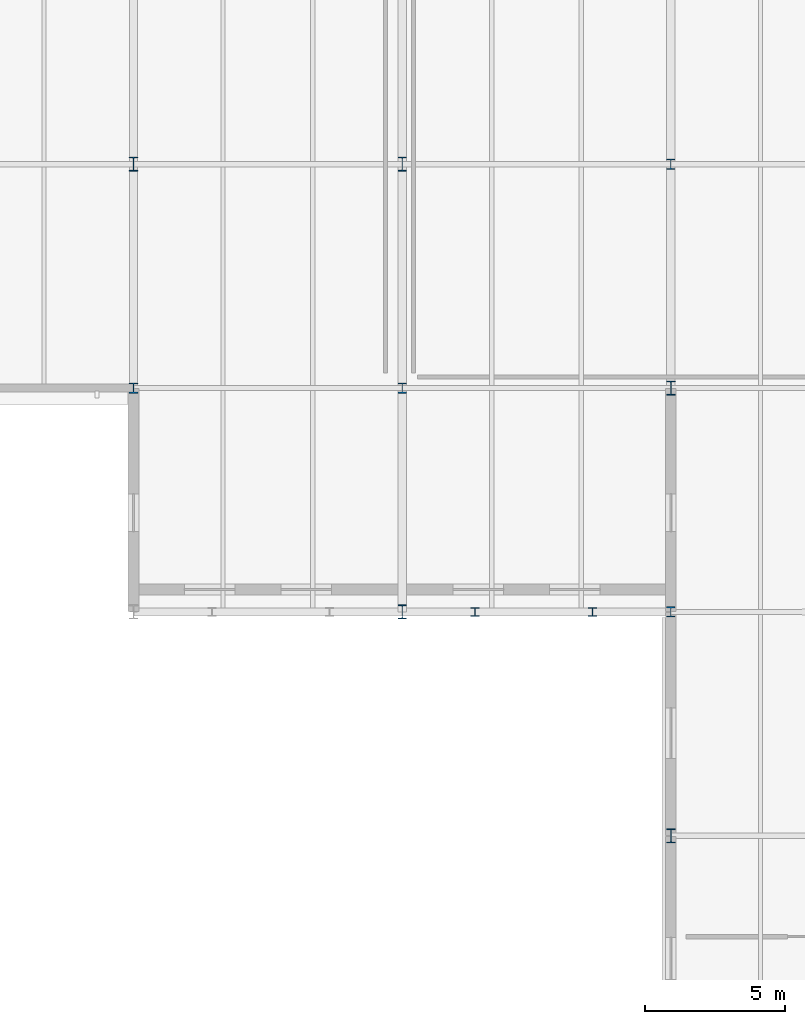
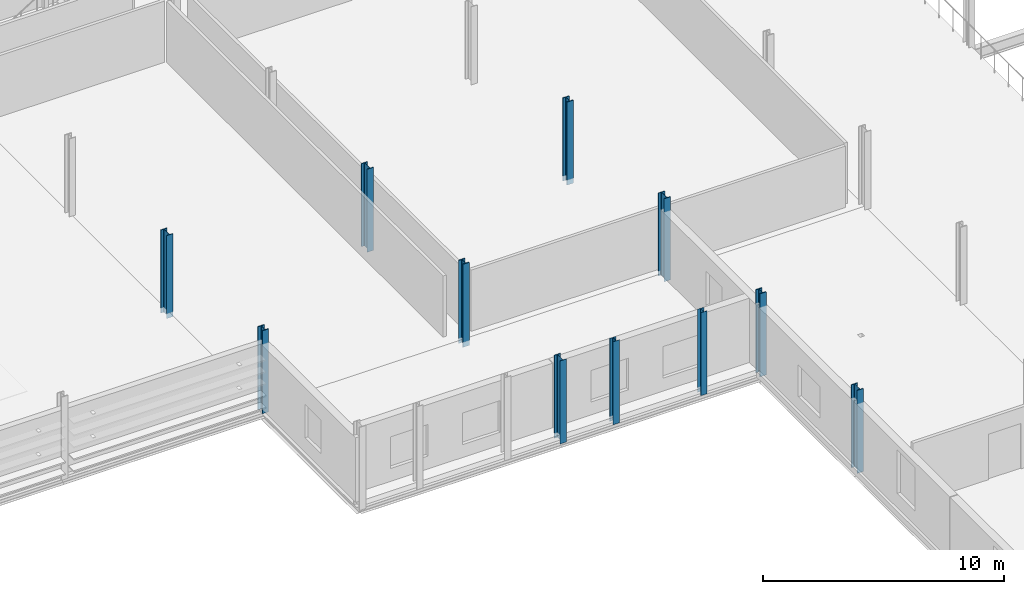
# One storey, part 4 of 78: 11 columns.
"""IFC4 building model written with IfcOpenShell, lengths in metres."""

from ifc_helpers import new_model, si_unit, direction, frame, origin, origin_2d, place, context, subcontext, project, spatial, i_section, extrude, material, material_profile, profile_set, type_object, element, save


model = new_model("IFC4")

# Units and contexts
model_context = context("Model", 3, precision=1e-05, world=origin(), true_north=direction((0.0, 1.0)))
body_context = subcontext(model_context, "Body", "Model", "MODEL_VIEW")
ifc_project = project(units=[si_unit("LENGTHUNIT", "METRE"), si_unit("AREAUNIT", "SQUARE_METRE"), si_unit("VOLUMEUNIT", "CUBIC_METRE"), si_unit("PLANEANGLEUNIT", "RADIAN"), si_unit("MASSUNIT", "GRAM", prefix="KILO")], contexts=[model_context])

# Site, building, storey
site_placement = place(None, origin())
site = spatial("IfcSite", under=ifc_project, at=site_placement, CompositionType="ELEMENT")
building_placement = place(site_placement, origin())
building = spatial("IfcBuilding", under=site, at=building_placement, Name="Alderhovde Museum", CompositionType="ELEMENT")
storey_placement = place(building_placement, frame((0.0, 0.0, 4.5)))
storey = spatial("IfcBuildingStorey", under=building, at=storey_placement, Name="L01", CompositionType="ELEMENT", Elevation=4.5)

# Columns
ifc_material_1 = material(Name="Steel S355J2", Category="steel")
ifc_material_profile_1 = material_profile(ifc_material_1, i_section(OverallWidth=0.300048828125, OverallDepth=0.300048828125, WebThickness=0.010986328125, FlangeThickness=0.01904296875, FilletRadius=0.027099609375, at=origin_2d()), Name="HEB 300")
ifc_profile_set_1 = profile_set([ifc_material_profile_1], Name="Steel S355J2")
column_type_1 = type_object("IfcColumnType", Name="COL-HEB300", PredefinedType="COLUMN", material=ifc_profile_set_1)
for number, where, z_axis, x_axis, name in (
    (1, (60.199951171875, 40.0, -0.260009765625), (0.0, 0.0, 1.0), (1.0, 0.0, 0.0), "L01 Beaux-Arts Portico Colonnade Column X=60.2"),
    (2, (64.39990234375, 40.0, -0.260009765625), (0.0, 0.0, 1.0), (1.0, 0.0, 0.0), "L01 Beaux-Arts Portico Colonnade Column X=64.4"),
):
    element("IfcColumn", number, at=place(storey_placement, frame(where, z_axis=z_axis, x_axis=x_axis)), inside=storey, type_object=column_type_1, Name=name, PredefinedType="COLUMN", context=body_context, shape_type="SweptSolid", body=[
        extrude(i_section(OverallWidth=0.300048828125, OverallDepth=0.300048828125, WebThickness=0.010986328125, FlangeThickness=0.01904296875, FilletRadius=0.027099609375, at=origin_2d()), origin(), (0.0, 0.0, 1.0), 4.199951171875),
    ])
ifc_material_2 = material(Name="Steel S355J2", Category="steel")
ifc_material_profile_2 = material_profile(ifc_material_2, i_section(OverallWidth=0.300048828125, OverallDepth=0.5, WebThickness=0.014404296875, FlangeThickness=0.028076171875, FilletRadius=0.027099609375, at=origin_2d()), Name="HEB 500")
ifc_profile_set_2 = profile_set([ifc_material_profile_2], Name="Steel S355J2")
column_type_2 = type_object("IfcColumnType", Name="COL-HEB500", PredefinedType="COLUMN", material=ifc_profile_set_2)
for number, where, z_axis, x_axis, name in (
    (3, (48.0, 56.0, -0.260009765625), (0.0, 0.0, 1.0), (1.0, 0.0, 0.0), "L01 Column (48.0, 56.0)"),
    (4, (57.60009765625, 40.0, -0.260009765625), (0.0, 0.0, 1.0), (1.0, 0.0, 0.0), "L01 Column (57.6, 40.0)"),
    (5, (57.60009765625, 56.0, -0.260009765625), (0.0, 0.0, 1.0), (1.0, 0.0, 0.0), "L01 Column (57.6, 56.0)"),
    (6, (67.199951171875, 32.0, -0.260009765625), (0.0, 0.0, 1.0), (1.0, 0.0, 0.0), "L01 Column (67.2, 32.0)"),
    (7, (67.199951171875, 48.0, -0.260009765625), (0.0, 0.0, 1.0), (1.0, 0.0, 0.0), "L01 Column (67.2, 48.0)"),
):
    element("IfcColumn", number, at=place(storey_placement, frame(where, z_axis=z_axis, x_axis=x_axis)), inside=storey, type_object=column_type_2, Name=name, PredefinedType="COLUMN", context=body_context, shape_type="SweptSolid", body=[
        extrude(i_section(OverallWidth=0.300048828125, OverallDepth=0.5, WebThickness=0.014404296875, FlangeThickness=0.028076171875, FilletRadius=0.027099609375, at=origin_2d()), origin(), (0.0, 0.0, 1.0), 4.199951171875),
    ])
ifc_material_3 = material(Name="Steel S355J2", Category="steel")
ifc_material_profile_3 = material_profile(ifc_material_3, i_section(OverallWidth=0.30908203125, OverallDepth=0.376953125, WebThickness=0.02099609375, FlangeThickness=0.0400390625, FilletRadius=0.027099609375, at=origin_2d()), Name="HEM 340")
ifc_profile_set_3 = profile_set([ifc_material_profile_3], Name="Steel S355J2")
column_type_3 = type_object("IfcColumnType", Name="COL-HEM340", PredefinedType="COLUMN", material=ifc_profile_set_3)
for number, where, z_axis, x_axis, name in (
    (8, (48.0, 48.0, -0.260009765625), (0.0, 0.0, 1.0), (1.0, 0.0, 0.0), "L01 Column (48.0, 48.0)"),
    (9, (57.60009765625, 48.0, -0.260009765625), (0.0, 0.0, 1.0), (1.0, 0.0, 0.0), "L01 Column (57.6, 48.0)"),
    (10, (67.199951171875, 40.0, -0.260009765625), (0.0, 0.0, 1.0), (1.0, 0.0, 0.0), "L01 Column (67.2, 40.0)"),
    (11, (67.199951171875, 56.0, -0.260009765625), (0.0, 0.0, 1.0), (1.0, 0.0, 0.0), "L01 Column (67.2, 56.0)"),
):
    element("IfcColumn", number, at=place(storey_placement, frame(where, z_axis=z_axis, x_axis=x_axis)), inside=storey, type_object=column_type_3, Name=name, PredefinedType="COLUMN", context=body_context, shape_type="SweptSolid", body=[
        extrude(i_section(OverallWidth=0.30908203125, OverallDepth=0.376953125, WebThickness=0.02099609375, FlangeThickness=0.0400390625, FilletRadius=0.027099609375, at=origin_2d()), origin(), (0.0, 0.0, 1.0), 4.199951171875),
    ])

save(model, "model.ifc")
